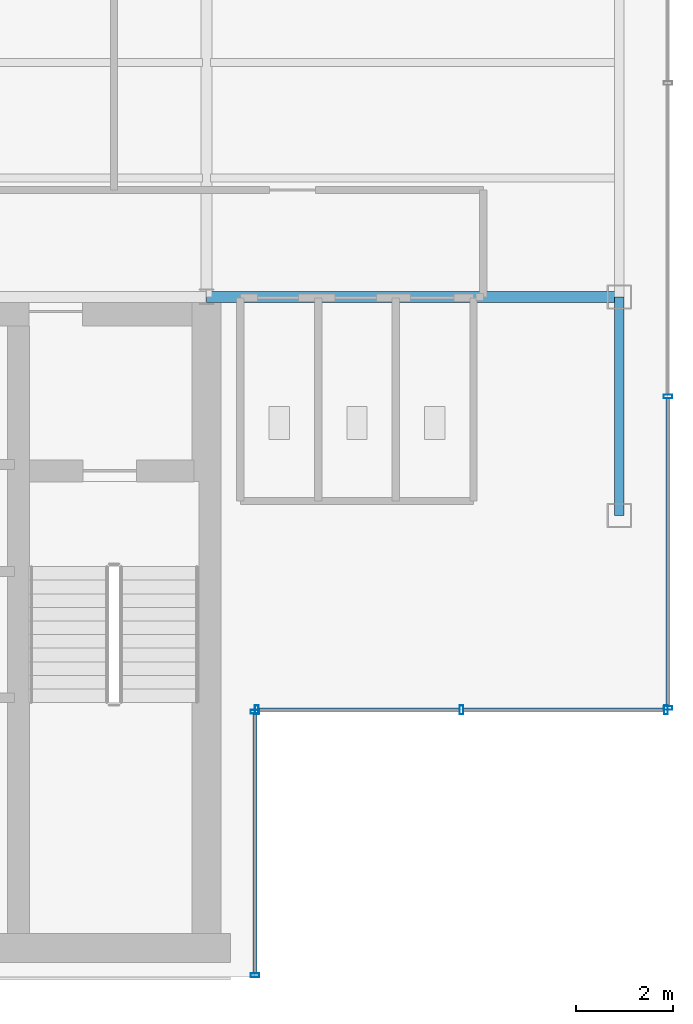
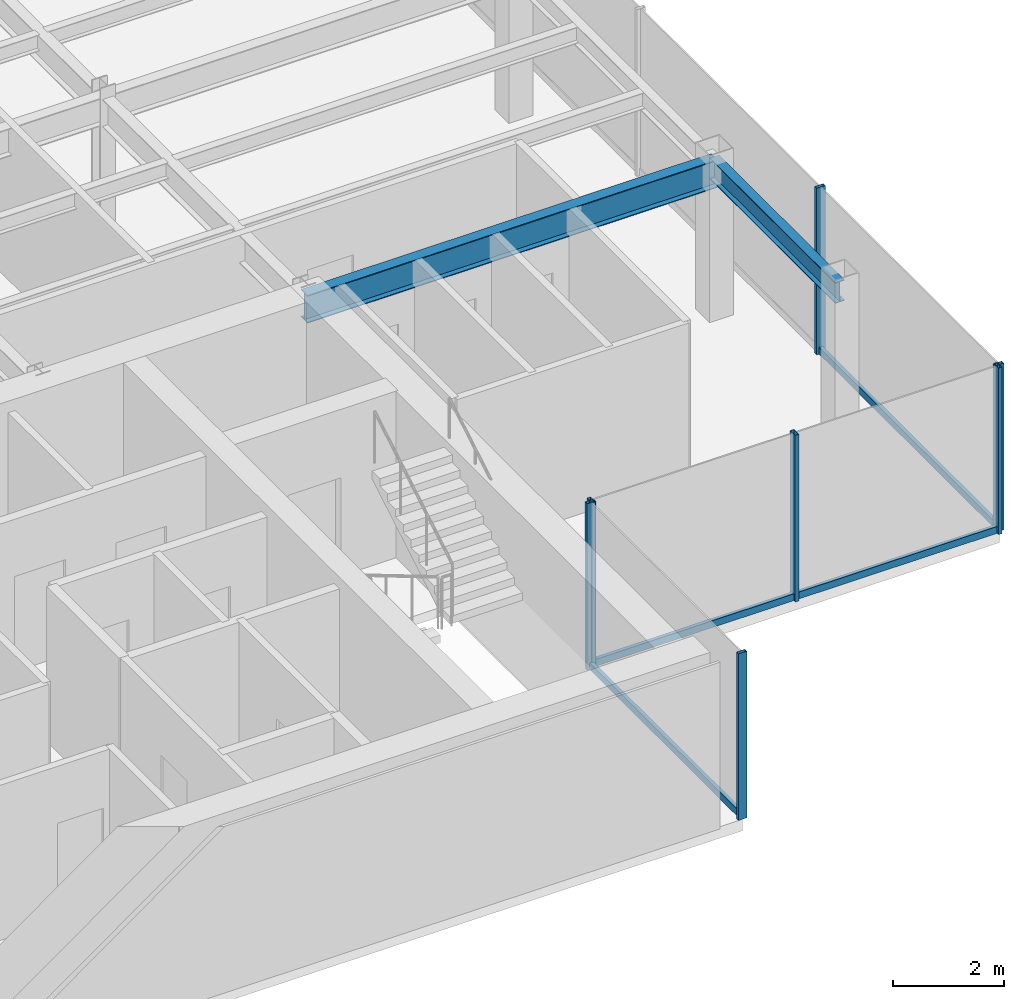
# One storey, part 9 of 22: 11 members, 2 beams, 3 elements without a shape of their own.
"""IFC4 building model written with IfcOpenShell, lengths in metres."""

from ifc_helpers import new_model, si_unit, derived_unit, direction, frame, origin, origin_2d, place, context, subcontext, project, spatial, hollow_rectangle, i_section, extrude, source, transform, mapped, material, material_profile, profile_set, type_object, element, aggregate, save


model = new_model("IFC4")

# Units and contexts
model_context = context("Model", 3, precision=1e-05, world=origin(), true_north=direction((0.0, 1.0)))
body_context = subcontext(model_context, "Body", "Model", "MODEL_VIEW")
ifc_project = project(units=[si_unit("LENGTHUNIT", "METRE"), si_unit("AREAUNIT", "SQUARE_METRE"), si_unit("VOLUMEUNIT", "CUBIC_METRE"), si_unit("PLANEANGLEUNIT", "RADIAN"), si_unit("MASSUNIT", "GRAM", prefix="KILO"), derived_unit("THERMALTRANSMITTANCEUNIT", [(si_unit("POWERUNIT", "WATT"), 1), (si_unit("LENGTHUNIT", "METRE"), -2), (si_unit("THERMODYNAMICTEMPERATUREUNIT", "KELVIN"), -1)])], contexts=[model_context])

# Site, building, storey
site_placement = place(None, origin())
site = spatial("IfcSite", under=ifc_project, at=site_placement, CompositionType="ELEMENT")
building_placement = place(site_placement, origin())
building = spatial("IfcBuilding", under=site, at=building_placement, Name="Skarnbrae Concourse Arena and Tower", CompositionType="ELEMENT")
storey_placement = place(building_placement, frame((0.0, 0.0, 206.85009765625)))
storey = spatial("IfcBuildingStorey", under=building, at=storey_placement, Name="L53", CompositionType="ELEMENT", Elevation=206.85009765625)

# Beams
ifc_material_1 = material(Name="Steel CSA G40.21 350W", Category="steel")
ifc_material_profile_1 = material_profile(ifc_material_1, i_section(OverallWidth=0.22802734375, OverallDepth=0.60791015625, WebThickness=0.01123046875, FlangeThickness=0.017333984375, at=origin_2d()), Name="W610X113")
ifc_profile_set_1 = profile_set([ifc_material_profile_1], Name="Steel CSA G40.21 350W")
beam_type_1 = type_object("IfcBeamType", Name="BM-GIRD-W610X113", PredefinedType="BEAM", material=ifc_profile_set_1)
shared_shape_1 = source(origin(), body_context, "Body", "SweptSolid", [
    extrude(i_section(OverallWidth=0.22802734375, OverallDepth=0.60791015625, WebThickness=0.01123046875, FlangeThickness=0.017333984375, at=origin_2d()), origin(), (0.0, 0.0, 1.0), 8.5),
])
beam_1_placement = place(storey_placement, frame((33.5, 14.0, 3.095947265625), z_axis=(1.0, 0.0, 0.0), x_axis=(0.0, 1.0, 0.0)))
element("IfcBeam", 1, at=beam_1_placement, inside=storey, type_object=beam_type_1, Name="L53 Primary E-W girder Y14.0-6", PredefinedType="BEAM", context=body_context, shape_type="MappedRepresentation", body=[
    mapped(shared_shape_1, transform((0.0, 0.0, 0.0))),
])
ifc_material_profile_2 = material_profile(ifc_material_1, i_section(OverallWidth=0.19091796875, OverallDepth=0.4599609375, WebThickness=0.010009765625, FlangeThickness=0.01611328125, at=origin_2d()), Name="W460X82")
ifc_profile_set_2 = profile_set([ifc_material_profile_2], Name="Steel CSA G40.21 350W")
beam_type_2 = type_object("IfcBeamType", Name="BM-SPAN-W460X82", PredefinedType="SPANDREL", material=ifc_profile_set_2)
shared_shape_2 = source(origin(), body_context, "Body", "SweptSolid", [
    extrude(i_section(OverallWidth=0.19091796875, OverallDepth=0.4599609375, WebThickness=0.010009765625, FlangeThickness=0.01611328125, at=origin_2d()), origin(), (0.0, 0.0, 1.0), 4.5),
])
beam_2_placement = place(storey_placement, frame((42.0, 9.5, 3.169921875), z_axis=(0.0, 1.0, 0.0), x_axis=(-1.0, 0.0, 0.0)))
element("IfcBeam", 2, at=beam_2_placement, inside=storey, type_object=beam_type_2, Name="L53 Perimeter spandrel X42.0-1", PredefinedType="SPANDREL", context=body_context, shape_type="MappedRepresentation", body=[
    mapped(shared_shape_2, transform((0.0, 0.0, 0.0))),
])

# Curtain wall, members
ifc_material_2 = material(Name="Bronze anodised aluminium 6063-T6", Category="aluminium")
curtain_wall_type = type_object("IfcCurtainWallType", Name="CW-SYS-05-HIGHZONE", PredefinedType="USERDEFINED", material=ifc_material_2)
curtain_wall_1_placement = place(storey_placement, origin())
curtain_wall_1 = element("IfcCurtainWall", 3, at=curtain_wall_1_placement, inside=storey, type_object=curtain_wall_type, Name="L53 Unitised curtain wall CW-L53-E02", ObjectType="UNITISED CURTAIN WALL", PredefinedType="USERDEFINED")
ifc_material_profile_3 = material_profile(ifc_material_2, hollow_rectangle(XDim=0.074951171875, YDim=0.179931640625, WallThickness=0.00390625, at=origin_2d()), Name="ALU-MULL-75X180")
ifc_profile_set_3 = profile_set([ifc_material_profile_3], Name="Bronze anodised aluminium 6063-T6")
member_type_1 = type_object("IfcMemberType", Name="CWM-CW-05", PredefinedType="MULLION", material=ifc_profile_set_3)
shared_shape_3 = source(origin(), body_context, "Body", "SweptSolid", [
    extrude(hollow_rectangle(XDim=0.074951171875, YDim=0.179931640625, WallThickness=0.00390625, at=origin_2d()), origin(), (0.0, 0.0, 1.0), 3.64990234375),
])
member_1_placement = place(storey_placement, frame((34.5, 0.03759765625, 0.0), z_axis=(0.0, 0.0, 1.0), x_axis=(0.0, 1.0, 0.0)))
member_1 = element("IfcMember", 4, at=member_1_placement, type_object=member_type_1, Name="CW-L53-E02 Mullion 1", PredefinedType="MULLION", context=body_context, shape_type="MappedRepresentation", body=[
    mapped(shared_shape_3, transform((0.0, 0.0, 0.0))),
])
member_2_placement = place(storey_placement, frame((34.5, 5.46240234375, 0.0), z_axis=(0.0, 0.0, 1.0), x_axis=(0.0, 1.0, 0.0)))
member_2 = element("IfcMember", 5, at=member_2_placement, type_object=member_type_1, Name="CW-L53-E02 Mullion 2", PredefinedType="MULLION", context=body_context, shape_type="MappedRepresentation", body=[
    mapped(shared_shape_3, transform((0.0, 0.0, 0.0))),
])

curtain_wall_2_placement = place(storey_placement, origin())
curtain_wall_2 = element("IfcCurtainWall", 6, at=curtain_wall_2_placement, inside=storey, type_object=curtain_wall_type, Name="L53 Unitised curtain wall CW-L53-E03", ObjectType="UNITISED CURTAIN WALL", PredefinedType="USERDEFINED")
member_3_placement = place(storey_placement, frame((34.53759765625, 5.5, 0.0), z_axis=(0.0, 0.0, 1.0), x_axis=(1.0, 0.0, 0.0)))
member_3 = element("IfcMember", 7, at=member_3_placement, type_object=member_type_1, Name="CW-L53-E03 Mullion 1", PredefinedType="MULLION", context=body_context, shape_type="MappedRepresentation", body=[
    mapped(shared_shape_3, transform((0.0, 0.0, 0.0))),
])
member_4_placement = place(storey_placement, frame((38.75, 5.5, 0.0), z_axis=(0.0, 0.0, 1.0), x_axis=(1.0, 0.0, 0.0)))
member_4 = element("IfcMember", 8, at=member_4_placement, type_object=member_type_1, Name="CW-L53-E03 Mullion 2", PredefinedType="MULLION", context=body_context, shape_type="MappedRepresentation", body=[
    mapped(shared_shape_3, transform((0.0, 0.0, 0.0))),
])
member_5_placement = place(storey_placement, frame((42.96240234375, 5.5, 0.0), z_axis=(0.0, 0.0, 1.0), x_axis=(1.0, 0.0, 0.0)))
member_5 = element("IfcMember", 9, at=member_5_placement, type_object=member_type_1, Name="CW-L53-E03 Mullion 3", PredefinedType="MULLION", context=body_context, shape_type="MappedRepresentation", body=[
    mapped(shared_shape_3, transform((0.0, 0.0, 0.0))),
])

curtain_wall_3_placement = place(storey_placement, origin())
curtain_wall_3 = element("IfcCurtainWall", 10, at=curtain_wall_3_placement, inside=storey, type_object=curtain_wall_type, Name="L53 Unitised curtain wall CW-L53-E04", ObjectType="UNITISED CURTAIN WALL", PredefinedType="USERDEFINED")
member_6_placement = place(storey_placement, frame((43.0, 5.53759765625, 0.0), z_axis=(0.0, 0.0, 1.0), x_axis=(0.0, 1.0, 0.0)))
member_6 = element("IfcMember", 11, at=member_6_placement, type_object=member_type_1, Name="CW-L53-E04 Mullion 1", PredefinedType="MULLION", context=body_context, shape_type="MappedRepresentation", body=[
    mapped(shared_shape_3, transform((0.0, 0.0, 0.0))),
])
member_7_placement = place(storey_placement, frame((43.0, 11.949951171875, 0.0), z_axis=(0.0, 0.0, 1.0), x_axis=(0.0, 1.0, 0.0)))
member_7 = element("IfcMember", 12, at=member_7_placement, type_object=member_type_1, Name="CW-L53-E04 Mullion 2", PredefinedType="MULLION", context=body_context, shape_type="MappedRepresentation", body=[
    mapped(shared_shape_3, transform((0.0, 0.0, 0.0))),
])

# Member
ifc_material_profile_4 = material_profile(ifc_material_2, hollow_rectangle(XDim=0.074951171875, YDim=0.14990234375, WallThickness=0.00390625, at=origin_2d()), Name="ALU-TRAN-75X150")
ifc_profile_set_4 = profile_set([ifc_material_profile_4], Name="Bronze anodised aluminium 6063-T6")
member_type_2 = type_object("IfcMemberType", Name="CWT-CW-05", PredefinedType="USERDEFINED", material=ifc_profile_set_4)
shared_shape_4 = source(origin(), body_context, "Body", "SweptSolid", [
    extrude(hollow_rectangle(XDim=0.074951171875, YDim=0.14990234375, WallThickness=0.00390625, at=origin_2d()), origin(), (0.0, 0.0, 1.0), 5.35009765625),
])
member_8_placement = place(storey_placement, frame((34.5, 0.074951171875, 0.074951171875), z_axis=(0.0, 1.0, 0.0), x_axis=(-1.0, 0.0, 0.0)))
member_8 = element("IfcMember", 13, at=member_8_placement, type_object=member_type_2, Name="CW-L53-E02 Transom 1", ObjectType="TRANSOM", PredefinedType="USERDEFINED", context=body_context, shape_type="MappedRepresentation", body=[
    mapped(shared_shape_4, transform((0.0, 0.0, 0.0))),
])

aggregate(curtain_wall_1, [member_1, member_2, member_8])

shared_shape_5 = source(origin(), body_context, "Body", "SweptSolid", [
    extrude(hollow_rectangle(XDim=0.074951171875, YDim=0.14990234375, WallThickness=0.00390625, at=origin_2d()), origin(), (0.0, 0.0, 1.0), 4.137451171875),
])
member_9_placement = place(storey_placement, frame((34.574951171875, 5.5, 0.074951171875), z_axis=(1.0, 0.0, 0.0), x_axis=(0.0, 1.0, 0.0)))
member_9 = element("IfcMember", 14, at=member_9_placement, type_object=member_type_2, Name="CW-L53-E03 Transom 1", ObjectType="TRANSOM", PredefinedType="USERDEFINED", context=body_context, shape_type="MappedRepresentation", body=[
    mapped(shared_shape_5, transform((0.0, 0.0, 0.0))),
])

member_10_placement = place(storey_placement, frame((38.78759765625, 5.5, 0.074951171875), z_axis=(1.0, 0.0, 0.0), x_axis=(0.0, 1.0, 0.0)))
member_10 = element("IfcMember", 15, at=member_10_placement, type_object=member_type_2, Name="CW-L53-E03 Transom 2", ObjectType="TRANSOM", PredefinedType="USERDEFINED", context=body_context, shape_type="MappedRepresentation", body=[
    mapped(shared_shape_5, transform((0.0, 0.0, 0.0))),
])

aggregate(curtain_wall_2, [member_3, member_4, member_5, member_9, member_10])

shared_shape_6 = source(origin(), body_context, "Body", "SweptSolid", [
    extrude(hollow_rectangle(XDim=0.074951171875, YDim=0.14990234375, WallThickness=0.00390625, at=origin_2d()), origin(), (0.0, 0.0, 1.0), 6.337646484375),
])
member_11_placement = place(storey_placement, frame((43.0, 5.574951171875, 0.074951171875), z_axis=(0.0, 1.0, 0.0), x_axis=(-1.0, 0.0, 0.0)))
member_11 = element("IfcMember", 16, at=member_11_placement, type_object=member_type_2, Name="CW-L53-E04 Transom 1", ObjectType="TRANSOM", PredefinedType="USERDEFINED", context=body_context, shape_type="MappedRepresentation", body=[
    mapped(shared_shape_6, transform((0.0, 0.0, 0.0))),
])

aggregate(curtain_wall_3, [member_6, member_7, member_11])

save(model, "model.ifc")
